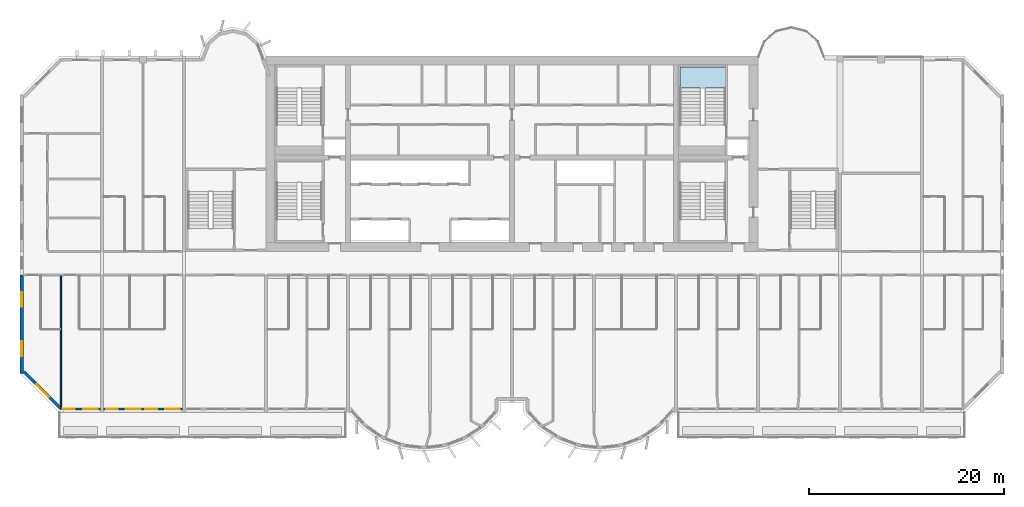
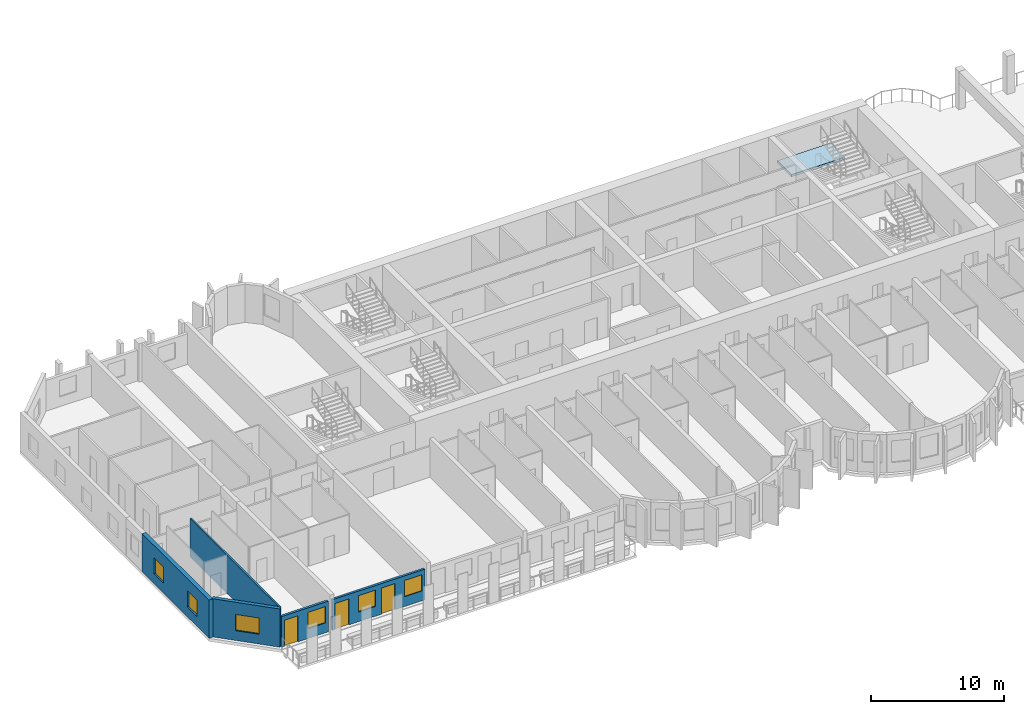
# One storey, part 2 of 15: 6 windows, 5 walls, 3 doors, 1 slab, 9 openings, 1 element without a shape of its own.
"""IFC4 building model written with IfcOpenShell, lengths in metres."""

from ifc_helpers import new_model, si_unit, direction, frame, frame_2d, origin, place, context, subcontext, project, spatial, polyline, rectangle, outline, extrude, source, transform, mapped, material, layer, layer_set, type_object, element, fill, aggregate, save


model = new_model("IFC4")

# Units and contexts
model_context = context("Model", 3, precision=1e-05, world=origin(), true_north=direction((0.0, 1.0)))
body_context = subcontext(model_context, "Body", "Model", "MODEL_VIEW")
ifc_project = project(units=[si_unit("LENGTHUNIT", "METRE"), si_unit("AREAUNIT", "SQUARE_METRE"), si_unit("VOLUMEUNIT", "CUBIC_METRE"), si_unit("PLANEANGLEUNIT", "RADIAN"), si_unit("MASSUNIT", "GRAM", prefix="KILO")], contexts=[model_context])

# Site, building, storey
site_placement = place(None, origin())
site = spatial("IfcSite", under=ifc_project, at=site_placement, CompositionType="ELEMENT")
building_placement = place(site_placement, origin())
building = spatial("IfcBuilding", under=site, at=building_placement, Name="Vanashikhar Sky Hotel", CompositionType="ELEMENT")
storey_placement = place(building_placement, frame((0.0, 0.0, 91.39990234375)))
storey = spatial("IfcBuildingStorey", under=building, at=storey_placement, Name="L21", CompositionType="ELEMENT", Elevation=91.39990234375)

# Stair, slab
ifc_material_1 = material(Name="Concrete M40", Category="concrete")
stair_type = type_object("IfcStairType", Name="Exit stair 2150", PredefinedType="DOUBLE_RETURN_STAIR", material=ifc_material_1)
stair_placement = place(storey_placement, origin())
stair = element("IfcStair", 1, at=stair_placement, inside=storey, type_object=stair_type, Name="L21 Exit stair 6", PredefinedType="DOUBLE_RETURN_STAIR")
ifc_layer_1 = layer(ifc_material_1, 0.199951171875)
ifc_layer_set_1 = layer_set([ifc_layer_1], Name="Stair landing 200")
slab_type = type_object("IfcSlabType", Name="Stair landing 200", PredefinedType="LANDING", material=ifc_layer_set_1)
shared_shape_1 = source(origin(), body_context, "Body", "SweptSolid", [
    extrude(outline(polyline([(72.25, 38.75), (72.25, 40.89990234375), (67.60009765625, 40.89990234375), (67.60009765625, 38.75), (72.25, 38.75)])), origin(), (0.0, 0.0, 1.0), 0.2001953125),
])
slab_placement = place(storey_placement, frame((0.0, 0.0, 1.066650390625)))
slab = element("IfcSlab", 2, at=slab_placement, type_object=slab_type, Name="ST-C4 landing 1", PredefinedType="LANDING", context=body_context, shape_type="MappedRepresentation", body=[
    mapped(shared_shape_1, transform((0.0, 0.0, 0.0), scale=1.0)),
])
aggregate(stair, [slab])

# Wall, openings, windows
ifc_material_2 = material(Name="Concrete M70", Category="concrete")
ifc_layer_2 = layer(ifc_material_2, 0.35009765625)
ifc_layer_set_2 = layer_set([ifc_layer_2], Name="RC shear wall 350 Concrete M70")
wall_type_1 = type_object("IfcWallType", Name="RC shear wall 350 Concrete M70", PredefinedType="SHEAR", material=ifc_layer_set_2)
shared_shape_2 = source(origin(), body_context, "Body", "SweptSolid", [
    extrude(rectangle(XDim=10.10009765625, YDim=0.35009765625, at=frame_2d((5.050048828125, 0.0))), origin(), (0.0, 0.0, 1.0), 3.52001953125),
])
wall_1_placement = place(storey_placement, frame((0.175048828125, 9.5, 0.0), z_axis=(0.0, 0.0, 1.0), x_axis=(0.0, 1.0, 0.0)))
wall_1 = element("IfcWall", 3, at=wall_1_placement, inside=storey, type_object=wall_type_1, Name="CW-L21-XW01-1", PredefinedType="SHEAR", context=body_context, shape_type="MappedRepresentation", body=[
    mapped(shared_shape_2, transform((0.0, 0.0, 0.0), scale=1.0)),
])
shared_shape_3 = source(origin(), body_context, "Body", "SweptSolid", [
    extrude(rectangle(XDim=1.5, YDim=1.5, at=frame_2d((0.75, 0.75))), frame((0.0, 0.18505859375, 0.0), z_axis=(0.0, -1.0, 0.0), x_axis=(1.0, 0.0, 0.0)), (0.0, 0.0, 1.0), 0.3701171875),
])
opening_1_placement = place(wall_1_placement, frame((1.77490234375, 0.0, 0.89990234375)))
opening_1 = element("IfcOpeningElement", 4, at=opening_1_placement, cuts=wall_1, Name="Opening WN-1", PredefinedType="OPENING", context=body_context, shape_type="MappedRepresentation", body=[
    mapped(shared_shape_3, transform((0.0, 0.0, 0.0), scale=1.0)),
])
opening_2_placement = place(wall_1_placement, frame((6.824951171875, 0.0, 0.89990234375)))
opening_2 = element("IfcOpeningElement", 5, at=opening_2_placement, cuts=wall_1, Name="Opening WN-1", PredefinedType="OPENING", context=body_context, shape_type="MappedRepresentation", body=[
    mapped(shared_shape_3, transform((0.0, 0.0, 0.0), scale=1.0)),
])
ifc_material_3 = material(Name="Glass", Category="glass")
window_type_1 = type_object("IfcWindowType", Name="Window 1500 x 1500", PartitioningType="SINGLE_PANEL", PredefinedType="WINDOW", material=ifc_material_3)
shared_shape_4 = source(origin(), body_context, "Body", "SweptSolid", [
    extrude(rectangle(XDim=1.5, YDim=1.5, at=frame_2d((0.75, 0.75))), frame((0.0, 0.030029296875, 0.0), z_axis=(0.0, -1.0, 0.0), x_axis=(1.0, 0.0, 0.0)), (0.0, 0.0, 1.0), 0.06005859375),
])
window_1_placement = place(opening_1_placement, origin())
window_1 = element("IfcWindow", 6, at=window_1_placement, inside=storey, type_object=window_type_1, Name="Window WN-1", OverallHeight=1.5, OverallWidth=1.5, PartitioningType="SINGLE_PANEL", PredefinedType="WINDOW", context=body_context, shape_type="MappedRepresentation", body=[
    mapped(shared_shape_4, transform((0.0, 0.0, 0.0), scale=1.0)),
])
fill(opening_1, window_1)
window_2_placement = place(opening_2_placement, origin())
window_2 = element("IfcWindow", 7, at=window_2_placement, inside=storey, type_object=window_type_1, Name="Window WN-1", OverallHeight=1.5, OverallWidth=1.5, PartitioningType="SINGLE_PANEL", PredefinedType="WINDOW", context=body_context, shape_type="MappedRepresentation", body=[
    mapped(shared_shape_4, transform((0.0, 0.0, 0.0), scale=1.0)),
])
fill(opening_2, window_2)

# Wall, opening, window
ifc_material_4 = material(Name="Concrete M50", Category="concrete")
ifc_layer_3 = layer(ifc_material_4, 0.300048828125)
ifc_layer_set_3 = layer_set([ifc_layer_3], Name="Lobe wall 300")
wall_type_2 = type_object("IfcWallType", Name="Lobe wall 300", PredefinedType="SOLIDWALL", material=ifc_layer_set_3)
shared_shape_5 = source(origin(), body_context, "Body", "SweptSolid", [
    extrude(rectangle(XDim=5.32568359375, YDim=0.300048828125, at=frame_2d((2.662841796875, 0.0))), origin(), (0.0, 0.0, 1.0), 3.52001953125),
])
wall_2_placement = place(storey_placement, frame((0.39990234375, 9.665771484375, 0.0), z_axis=(0.0, 0.0, 1.0), x_axis=(0.707106781187, -0.707106781187, 0.0)))
wall_2 = element("IfcWall", 8, at=wall_2_placement, inside=storey, type_object=wall_type_2, Name="Corner wall", PredefinedType="SOLIDWALL", context=body_context, shape_type="MappedRepresentation", body=[
    mapped(shared_shape_5, transform((0.0, 0.0, 0.0), scale=1.0)),
])
shared_shape_6 = source(origin(), body_context, "Body", "SweptSolid", [
    extrude(rectangle(XDim=1.800048828125, YDim=1.5, at=frame_2d((0.89990234375, 0.75))), frame((0.0, 0.16015625, 0.0), z_axis=(0.0, -1.0, 0.0), x_axis=(1.0, 0.0, 0.0)), (0.0, 0.0, 1.0), 0.320068359375),
])
opening_3_placement = place(wall_2_placement, frame((1.853759765625, 0.0, 0.89990234375)))
opening_3 = element("IfcOpeningElement", 9, at=opening_3_placement, cuts=wall_2, Name="Opening WN-4", PredefinedType="OPENING", context=body_context, shape_type="MappedRepresentation", body=[
    mapped(shared_shape_6, transform((0.0, 0.0, 0.0), scale=1.0)),
])
window_type_2 = type_object("IfcWindowType", Name="Corner window 1800 x 1500", PartitioningType="SINGLE_PANEL", PredefinedType="WINDOW", material=ifc_material_3)
shared_shape_7 = source(origin(), body_context, "Body", "SweptSolid", [
    extrude(rectangle(XDim=1.800048828125, YDim=1.5, at=frame_2d((0.89990234375, 0.75))), frame((0.0, 0.030029296875, 0.0), z_axis=(0.0, -1.0, 0.0), x_axis=(1.0, 0.0, 0.0)), (0.0, 0.0, 1.0), 0.06005859375),
])
window_3_placement = place(opening_3_placement, origin())
window_3 = element("IfcWindow", 10, at=window_3_placement, inside=storey, type_object=window_type_2, Name="Window WN-4", OverallHeight=1.5, OverallWidth=1.800048828125, PartitioningType="SINGLE_PANEL", PredefinedType="WINDOW", context=body_context, shape_type="MappedRepresentation", body=[
    mapped(shared_shape_7, transform((0.0, 0.0, 0.0), scale=1.0)),
])
fill(opening_3, window_3)

# Wall, openings, window, door
ifc_layer_4 = layer(ifc_material_4, 0.199951171875)
ifc_layer_set_4 = layer_set([ifc_layer_4], Name="Front window wall 200")
wall_type_3 = type_object("IfcWallType", Name="Front window wall 200", PredefinedType="SOLIDWALL", material=ifc_layer_set_4)
shared_shape_8 = source(origin(), body_context, "Body", "SweptSolid", [
    extrude(rectangle(XDim=4.080078125, YDim=0.199951171875, at=frame_2d((2.0400390625, 0.0))), origin(), (0.0, 0.0, 1.0), 2.820068359375),
])
wall_3_placement = place(storey_placement, frame((4.14501953125, 5.85009765625, 0.0), z_axis=(0.0, 0.0, 1.0), x_axis=(1.0, 0.0, 0.0)))
wall_3 = element("IfcWall", 11, at=wall_3_placement, inside=storey, type_object=wall_type_3, Name="Front window wall", PredefinedType="SOLIDWALL", context=body_context, shape_type="MappedRepresentation", body=[
    mapped(shared_shape_8, transform((0.0, 0.0, 0.0), scale=1.0)),
])
shared_shape_9 = source(origin(), body_context, "Body", "SweptSolid", [
    extrude(rectangle(XDim=1.199951171875, YDim=2.39990234375, at=frame_2d((0.60009765625, 1.199951171875))), frame((0.0, 0.10986328125, 0.0), z_axis=(0.0, -1.0, 0.0), x_axis=(1.0, 0.0, 0.0)), (0.0, 0.0, 1.0), 0.219970703125),
])
opening_4_placement = place(wall_3_placement, frame((0.25, 0.0, 0.0)))
opening_4 = element("IfcOpeningElement", 12, at=opening_4_placement, cuts=wall_3, Name="Opening BD-01", PredefinedType="OPENING", context=body_context, shape_type="MappedRepresentation", body=[
    mapped(shared_shape_9, transform((0.0, 0.0, 0.0), scale=1.0)),
])
shared_shape_10 = source(origin(), body_context, "Body", "SweptSolid", [
    extrude(rectangle(XDim=1.5, YDim=1.5, at=frame_2d((0.75, 0.75))), frame((0.0, 0.10986328125, 0.0), z_axis=(0.0, -1.0, 0.0), x_axis=(1.0, 0.0, 0.0)), (0.0, 0.0, 1.0), 0.219970703125),
])
opening_5_placement = place(wall_3_placement, frame((2.330078125, 0.0, 0.89990234375)))
opening_5 = element("IfcOpeningElement", 13, at=opening_5_placement, cuts=wall_3, Name="Opening WN-1", PredefinedType="OPENING", context=body_context, shape_type="MappedRepresentation", body=[
    mapped(shared_shape_10, transform((0.0, 0.0, 0.0), scale=1.0)),
])
window_4_placement = place(opening_5_placement, origin())
window_4 = element("IfcWindow", 14, at=window_4_placement, inside=storey, type_object=window_type_1, Name="Window WN-1", OverallHeight=1.5, OverallWidth=1.5, PartitioningType="SINGLE_PANEL", PredefinedType="WINDOW", context=body_context, shape_type="MappedRepresentation", body=[
    mapped(shared_shape_4, transform((0.0, 0.0, 0.0), scale=1.0)),
])
fill(opening_5, window_4)
ifc_material_5 = material(Name="Aluminium", Category="aluminium")
door_type = type_object("IfcDoorType", Name="Balcony sliding door 1200 x 2400", OperationType="NOTDEFINED", PredefinedType="DOOR", material=ifc_material_5)
shared_shape_11 = source(origin(), body_context, "Body", "SweptSolid", [
    extrude(rectangle(XDim=1.199951171875, YDim=2.39990234375, at=frame_2d((0.60009765625, 1.199951171875))), frame((0.0, 0.02490234375, 0.0), z_axis=(0.0, -1.0, 0.0), x_axis=(1.0, 0.0, 0.0)), (0.0, 0.0, 1.0), 0.050048828125),
])
door_1_placement = place(opening_4_placement, origin())
door_1 = element("IfcDoor", 15, at=door_1_placement, inside=storey, type_object=door_type, Name="Balcony sliding door", OperationType="SLIDING_TO_LEFT", OverallHeight=2.39990234375, OverallWidth=1.199951171875, PredefinedType="DOOR", context=body_context, shape_type="MappedRepresentation", body=[
    mapped(shared_shape_11, transform((0.0, 0.0, 0.0), scale=1.0)),
])
fill(opening_4, door_1)

# Wall, openings, windows, doors
shared_shape_12 = source(origin(), body_context, "Body", "SweptSolid", [
    extrude(rectangle(XDim=8.050048828125, YDim=0.199951171875, at=frame_2d((4.02490234375, 0.0))), origin(), (0.0, 0.0, 1.0), 2.820068359375),
])
wall_4_placement = place(storey_placement, frame((8.574951171875, 5.85009765625, 0.0), z_axis=(0.0, 0.0, 1.0), x_axis=(1.0, 0.0, 0.0)))
wall_4 = element("IfcWall", 16, at=wall_4_placement, inside=storey, type_object=wall_type_3, Name="Front window wall", PredefinedType="SOLIDWALL", context=body_context, shape_type="MappedRepresentation", body=[
    mapped(shared_shape_12, transform((0.0, 0.0, 0.0), scale=1.0)),
])
opening_6_placement = place(wall_4_placement, frame((0.25, 0.0, 0.0)))
opening_6 = element("IfcOpeningElement", 17, at=opening_6_placement, cuts=wall_4, Name="Opening BD-02", PredefinedType="OPENING", context=body_context, shape_type="MappedRepresentation", body=[
    mapped(shared_shape_9, transform((0.0, 0.0, 0.0), scale=1.0)),
])
opening_7_placement = place(wall_4_placement, frame((2.27490234375, 0.0, 0.89990234375)))
opening_7 = element("IfcOpeningElement", 18, at=opening_7_placement, cuts=wall_4, Name="Opening WN-1", PredefinedType="OPENING", context=body_context, shape_type="MappedRepresentation", body=[
    mapped(shared_shape_10, transform((0.0, 0.0, 0.0), scale=1.0)),
])
opening_8_placement = place(wall_4_placement, frame((4.27490234375, 0.0, 0.0)))
opening_8 = element("IfcOpeningElement", 19, at=opening_8_placement, cuts=wall_4, Name="Opening BD-03", PredefinedType="OPENING", context=body_context, shape_type="MappedRepresentation", body=[
    mapped(shared_shape_9, transform((0.0, 0.0, 0.0), scale=1.0)),
])
opening_9_placement = place(wall_4_placement, frame((6.300048828125, 0.0, 0.89990234375)))
opening_9 = element("IfcOpeningElement", 20, at=opening_9_placement, cuts=wall_4, Name="Opening WN-1", PredefinedType="OPENING", context=body_context, shape_type="MappedRepresentation", body=[
    mapped(shared_shape_10, transform((0.0, 0.0, 0.0), scale=1.0)),
])
window_5_placement = place(opening_7_placement, origin())
window_5 = element("IfcWindow", 21, at=window_5_placement, inside=storey, type_object=window_type_1, Name="Window WN-1", OverallHeight=1.5, OverallWidth=1.5, PartitioningType="SINGLE_PANEL", PredefinedType="WINDOW", context=body_context, shape_type="MappedRepresentation", body=[
    mapped(shared_shape_4, transform((0.0, 0.0, 0.0), scale=1.0)),
])
fill(opening_7, window_5)
window_6_placement = place(opening_9_placement, origin())
window_6 = element("IfcWindow", 22, at=window_6_placement, inside=storey, type_object=window_type_1, Name="Window WN-1", OverallHeight=1.5, OverallWidth=1.5, PartitioningType="SINGLE_PANEL", PredefinedType="WINDOW", context=body_context, shape_type="MappedRepresentation", body=[
    mapped(shared_shape_4, transform((0.0, 0.0, 0.0), scale=1.0)),
])
fill(opening_9, window_6)
door_2_placement = place(opening_6_placement, origin())
door_2 = element("IfcDoor", 23, at=door_2_placement, inside=storey, type_object=door_type, Name="Balcony sliding door", OperationType="SLIDING_TO_RIGHT", OverallHeight=2.39990234375, OverallWidth=1.199951171875, PredefinedType="DOOR", context=body_context, shape_type="MappedRepresentation", body=[
    mapped(shared_shape_11, transform((0.0, 0.0, 0.0), scale=1.0)),
])
fill(opening_6, door_2)
door_3_placement = place(opening_8_placement, origin())
door_3 = element("IfcDoor", 24, at=door_3_placement, inside=storey, type_object=door_type, Name="Balcony sliding door", OperationType="SLIDING_TO_LEFT", OverallHeight=2.39990234375, OverallWidth=1.199951171875, PredefinedType="DOOR", context=body_context, shape_type="MappedRepresentation", body=[
    mapped(shared_shape_11, transform((0.0, 0.0, 0.0), scale=1.0)),
])
fill(opening_8, door_3)

# Wall
ifc_material_6 = material(Name="Gypsum plasterboard partition")
ifc_layer_5 = layer(ifc_material_6, 0.14990234375)
ifc_layer_set_5 = layer_set([ifc_layer_5], Name="Corridor and demising partition 150")
wall_type_4 = type_object("IfcWallType", Name="Corridor and demising partition 150", PredefinedType="PARTITIONING", material=ifc_layer_set_5)
shared_shape_13 = source(origin(), body_context, "Body", "SweptSolid", [
    extrude(rectangle(XDim=13.447021484375, YDim=0.14990234375, at=frame_2d((6.7236328125, 0.0))), origin(), (0.0, 0.0, 1.0), 3.52001953125),
])
wall_5_placement = place(storey_placement, frame((4.199951171875, 6.077880859375, 0.0), z_axis=(0.0, 0.0, 1.0), x_axis=(0.0, 1.0, 0.0)))
element("IfcWall", 25, at=wall_5_placement, inside=storey, type_object=wall_type_4, Name="W-L21-PW007", PredefinedType="PARTITIONING", context=body_context, shape_type="MappedRepresentation", body=[
    mapped(shared_shape_13, transform((0.0, 0.0, 0.0), scale=1.0)),
])

save(model, "model.ifc")
